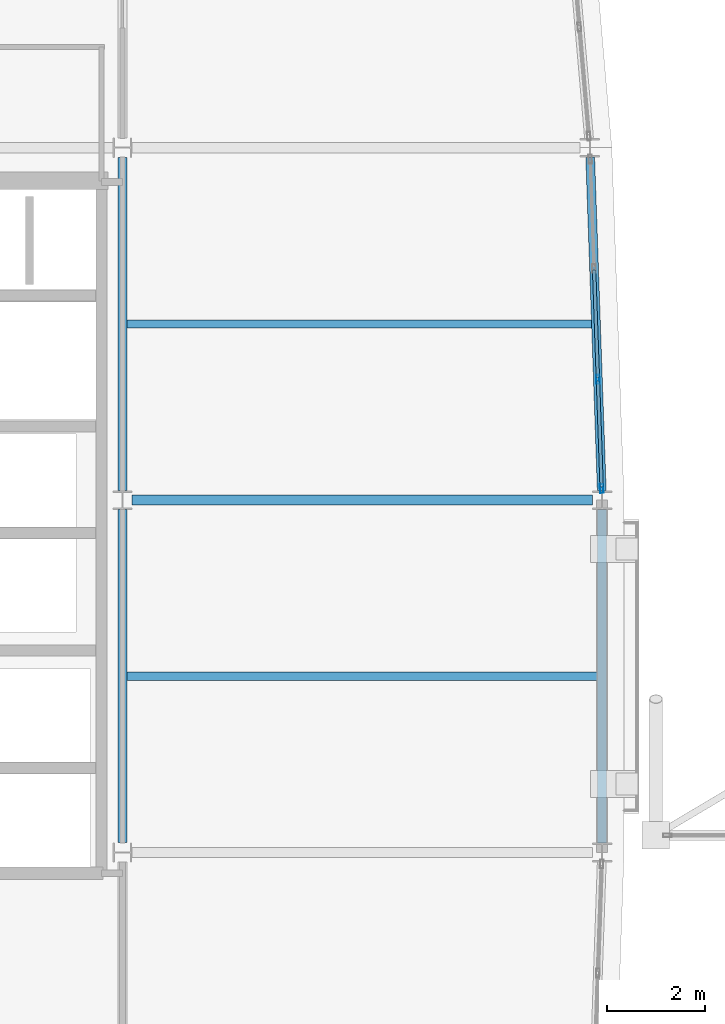
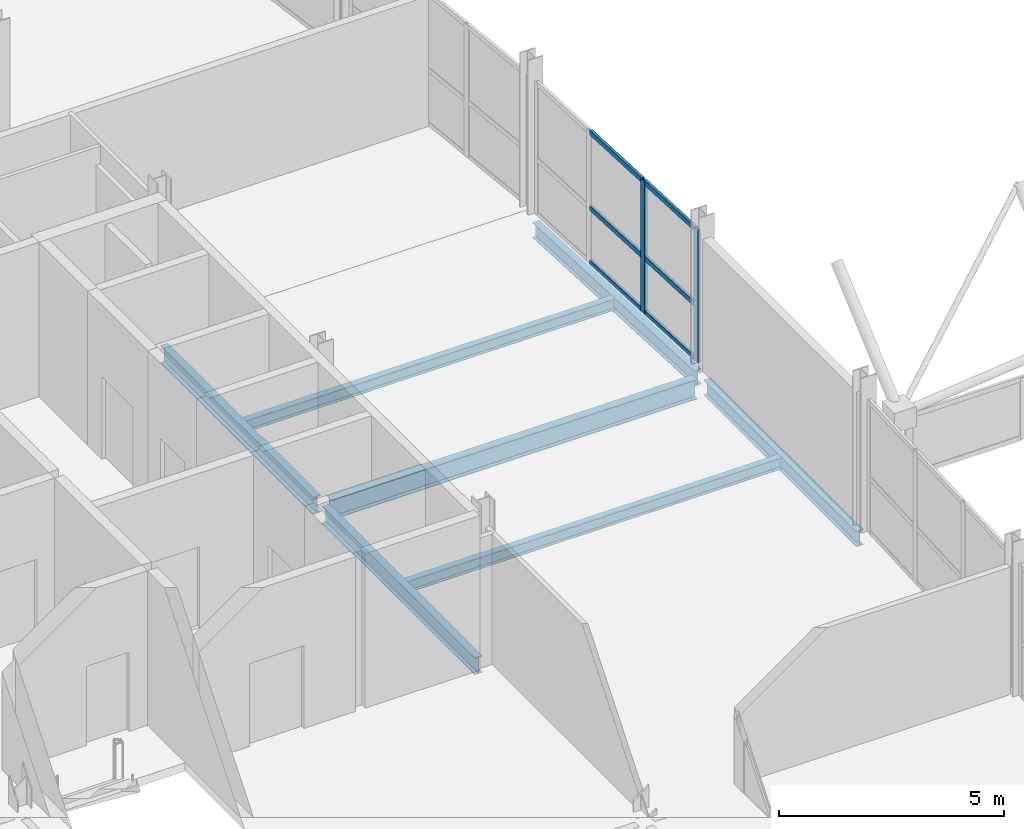
# One storey, part 26 of 60: 8 members, 7 beams, 1 element without a shape of its own.
"""IFC4 building model written with IfcOpenShell, lengths in metres."""

from ifc_helpers import new_model, si_unit, direction, frame, origin, origin_2d, place, context, subcontext, project, spatial, hollow_rectangle, i_section, extrude, material, layer, layer_set, material_profile, profile_set, type_object, element, aggregate, save


model = new_model("IFC4")

# Units and contexts
model_context = context("Model", 3, precision=1e-05, world=origin(), true_north=direction((0.0, 1.0)))
body_context = subcontext(model_context, "Body", "Model", "MODEL_VIEW")
ifc_project = project(units=[si_unit("LENGTHUNIT", "METRE"), si_unit("AREAUNIT", "SQUARE_METRE"), si_unit("VOLUMEUNIT", "CUBIC_METRE"), si_unit("PLANEANGLEUNIT", "RADIAN"), si_unit("MASSUNIT", "GRAM", prefix="KILO")], contexts=[model_context])

# Site, building, storey
site_placement = place(None, origin())
site = spatial("IfcSite", under=ifc_project, at=site_placement, CompositionType="ELEMENT")
building_placement = place(site_placement, origin())
building = spatial("IfcBuilding", under=site, at=building_placement, Name="Quillay Park Conservatory", CompositionType="ELEMENT")
storey_placement = place(building_placement, frame((0.0, 0.0, 9.89990234375)))
storey = spatial("IfcBuildingStorey", under=building, at=storey_placement, Name="L02", CompositionType="ELEMENT", Elevation=9.89990234375)

# Beams
ifc_material_1 = material(Name="Steel ASTM A992 Grade 50", Category="steel")
ifc_material_profile_1 = material_profile(ifc_material_1, i_section(OverallWidth=0.166015625, OverallDepth=0.31298828125, WebThickness=0.006591796875, FlangeThickness=0.01123046875, FilletRadius=0.010009765625, at=origin_2d()), Name="W310x45")
ifc_profile_set_1 = profile_set([ifc_material_profile_1], Name="Steel ASTM A992 Grade 50")
beam_type_1 = type_object("IfcBeamType", Name="COMPOSITE FLOOR JOIST W310 X45", PredefinedType="JOIST", material=ifc_profile_set_1)
beam_1_placement = place(storey_placement, frame((19.845947265625, 88.800048828125, -0.386474609375), z_axis=(1.0, 0.0, 0.0), x_axis=(0.0, 1.0, 0.0)))
element("IfcBeam", 1, at=beam_1_placement, inside=storey, type_object=beam_type_1, Name="L02 beam BM-J-0223", PredefinedType="JOIST", context=body_context, shape_type="SweptSolid", body=[
    extrude(i_section(OverallWidth=0.166015625, OverallDepth=0.31298828125, WebThickness=0.006591796875, FlangeThickness=0.01123046875, FilletRadius=0.010009765625, at=origin_2d()), origin(), (0.0, 0.0, 1.0), 9.614013671875),
])
beam_2_placement = place(storey_placement, frame((19.845947265625, 96.0, -0.386474609375), z_axis=(1.0, 0.0, 0.0), x_axis=(0.0, 1.0, 0.0)))
element("IfcBeam", 2, at=beam_2_placement, inside=storey, type_object=beam_type_1, Name="L02 beam BM-J-0229", PredefinedType="JOIST", context=body_context, shape_type="SweptSolid", body=[
    extrude(i_section(OverallWidth=0.166015625, OverallDepth=0.31298828125, WebThickness=0.006591796875, FlangeThickness=0.01123046875, FilletRadius=0.010009765625, at=origin_2d()), origin(), (0.0, 0.0, 1.0), 9.489013671875),
])

# Curtain wall, members
ifc_material_2 = material(Name="Thermally Broken Anodised Aluminium 6063-T6", Category="aluminium")
ifc_layer = layer(ifc_material_2, 0.179931640625)
ifc_layer_set = layer_set([ifc_layer], Name="UNITISED CURTAIN WALL TOWER (Thermally Broken Anodised Aluminium 6063-T6)")
curtain_wall_type = type_object("IfcCurtainWallType", Name="UNITISED CURTAIN WALL TOWER", PredefinedType="USERDEFINED", material=ifc_layer_set)
curtain_wall_placement = place(storey_placement, origin())
curtain_wall = element("IfcCurtainWall", 3, at=curtain_wall_placement, inside=storey, type_object=curtain_wall_type, Name="L02 Unitised Curtain Wall 022", ObjectType="UNITISED CURTAIN WALL", PredefinedType="USERDEFINED")
ifc_material_3 = material(Name="Thermally Broken Anodised Aluminium 6063-T6", Category="aluminium")
ifc_material_profile_2 = material_profile(ifc_material_3, hollow_rectangle(XDim=0.070068359375, YDim=0.179931640625, WallThickness=0.00390625, at=origin_2d()), Name="AL70x180x4")
ifc_profile_set_2 = profile_set([ifc_material_profile_2], Name="Thermally Broken Anodised Aluminium 6063-T6")
member_type_1 = type_object("IfcMemberType", Name="CURTAIN WALL MULLION 70 X180", PredefinedType="MULLION", material=ifc_profile_set_2)
member_1_placement = place(storey_placement, frame((29.46435546875, 94.86669921875, 0.0), z_axis=(0.0, 0.0, 1.0), x_axis=(0.999397310446, 0.034713338537, 0.0)))
member_1 = element("IfcMember", 4, at=member_1_placement, type_object=member_type_1, Name="CW-T1 mullion 3", PredefinedType="MULLION", context=body_context, shape_type="SweptSolid", body=[
    extrude(hollow_rectangle(XDim=0.070068359375, YDim=0.179931640625, WallThickness=0.00390625, at=origin_2d()), origin(), (0.0, 0.0, 1.0), 3.59912109375),
])
member_2_placement = place(storey_placement, frame((29.5419921875, 92.634765625, 0.0), z_axis=(0.0, 0.0, 1.0), x_axis=(0.999397310446, 0.034713338537, 0.0)))
member_2 = element("IfcMember", 5, at=member_2_placement, type_object=member_type_1, Name="CW-T1 mullion 4", PredefinedType="MULLION", context=body_context, shape_type="SweptSolid", body=[
    extrude(hollow_rectangle(XDim=0.070068359375, YDim=0.179931640625, WallThickness=0.00390625, at=origin_2d()), origin(), (0.0, 0.0, 1.0), 3.59912109375),
])
ifc_material_4 = material(Name="Thermally Broken Anodised Aluminium 6063-T6", Category="aluminium")
ifc_material_profile_3 = material_profile(ifc_material_4, hollow_rectangle(XDim=0.070068359375, YDim=0.1298828125, WallThickness=0.003173828125, at=origin_2d()), Name="AL70x130x3.2")
ifc_profile_set_3 = profile_set([ifc_material_profile_3], Name="Thermally Broken Anodised Aluminium 6063-T6")
member_type_2 = type_object("IfcMemberType", Name="CURTAIN WALL TRANSOM 70 X130", PredefinedType="USERDEFINED", material=ifc_profile_set_3)
member_3_placement = place(storey_placement, frame((29.386962890625, 97.098388671875, 0.03515625), z_axis=(0.034653546152, -0.999399385501, 0.0), x_axis=(0.999399385501, 0.034653546152, 0.0)))
member_3 = element("IfcMember", 6, at=member_3_placement, type_object=member_type_2, Name="CW-T1 transom 2.1", ObjectType="TRANSOM", PredefinedType="USERDEFINED", context=body_context, shape_type="SweptSolid", body=[
    extrude(hollow_rectangle(XDim=0.070068359375, YDim=0.1298828125, WallThickness=0.003173828125, at=origin_2d()), origin(), (0.0, 0.0, 1.0), 2.197998046875),
])
member_4_placement = place(storey_placement, frame((29.386962890625, 97.098388671875, 1.51171875), z_axis=(0.034653546152, -0.999399385501, 0.0), x_axis=(0.999399385501, 0.034653546152, 0.0)))
member_4 = element("IfcMember", 7, at=member_4_placement, type_object=member_type_2, Name="CW-T1 transom 2.2", ObjectType="TRANSOM", PredefinedType="USERDEFINED", context=body_context, shape_type="SweptSolid", body=[
    extrude(hollow_rectangle(XDim=0.070068359375, YDim=0.1298828125, WallThickness=0.003173828125, at=origin_2d()), origin(), (0.0, 0.0, 1.0), 2.197998046875),
])
member_5_placement = place(storey_placement, frame((29.386962890625, 97.098388671875, 3.564208984375), z_axis=(0.034653546152, -0.999399385501, 0.0), x_axis=(0.999399385501, 0.034653546152, 0.0)))
member_5 = element("IfcMember", 8, at=member_5_placement, type_object=member_type_2, Name="CW-T1 transom 2.3", ObjectType="TRANSOM", PredefinedType="USERDEFINED", context=body_context, shape_type="SweptSolid", body=[
    extrude(hollow_rectangle(XDim=0.070068359375, YDim=0.1298828125, WallThickness=0.003173828125, at=origin_2d()), origin(), (0.0, 0.0, 1.0), 2.197998046875),
])
member_6_placement = place(storey_placement, frame((29.465576171875, 94.83154296875, 0.03515625), z_axis=(0.034765508592, -0.999395496994, 0.0), x_axis=(0.999395496994, 0.034765508592, 0.0)))
member_6 = element("IfcMember", 9, at=member_6_placement, type_object=member_type_2, Name="CW-T1 transom 3.1", ObjectType="TRANSOM", PredefinedType="USERDEFINED", context=body_context, shape_type="SweptSolid", body=[
    extrude(hollow_rectangle(XDim=0.070068359375, YDim=0.1298828125, WallThickness=0.003173828125, at=origin_2d()), origin(), (0.0, 0.0, 1.0), 2.162841796875),
])
member_7_placement = place(storey_placement, frame((29.465576171875, 94.83154296875, 1.51171875), z_axis=(0.034765508592, -0.999395496994, 0.0), x_axis=(0.999395496994, 0.034765508592, 0.0)))
member_7 = element("IfcMember", 10, at=member_7_placement, type_object=member_type_2, Name="CW-T1 transom 3.2", ObjectType="TRANSOM", PredefinedType="USERDEFINED", context=body_context, shape_type="SweptSolid", body=[
    extrude(hollow_rectangle(XDim=0.070068359375, YDim=0.1298828125, WallThickness=0.003173828125, at=origin_2d()), origin(), (0.0, 0.0, 1.0), 2.162841796875),
])
member_8_placement = place(storey_placement, frame((29.465576171875, 94.83154296875, 3.564208984375), z_axis=(0.034765508592, -0.999395496994, 0.0), x_axis=(0.999395496994, 0.034765508592, 0.0)))
member_8 = element("IfcMember", 11, at=member_8_placement, type_object=member_type_2, Name="CW-T1 transom 3.3", ObjectType="TRANSOM", PredefinedType="USERDEFINED", context=body_context, shape_type="SweptSolid", body=[
    extrude(hollow_rectangle(XDim=0.070068359375, YDim=0.1298828125, WallThickness=0.003173828125, at=origin_2d()), origin(), (0.0, 0.0, 1.0), 2.162841796875),
])
aggregate(curtain_wall, [member_1, member_2, member_3, member_4, member_5, member_6, member_7, member_8])

# Beams
ifc_material_5 = material(Name="Steel ASTM A992 Grade 50", Category="steel")
ifc_material_profile_4 = material_profile(ifc_material_5, i_section(OverallWidth=0.179931640625, OverallDepth=0.4130859375, WebThickness=0.009765625, FlangeThickness=0.01611328125, FilletRadius=0.011962890625, at=origin_2d()), Name="W410x74")
ifc_profile_set_4 = profile_set([ifc_material_profile_4], Name="Steel ASTM A992 Grade 50")
beam_type_2 = type_object("IfcBeamType", Name="PERIMETER SPANDREL BEAM W410 X74", PredefinedType="SPANDREL", material=ifc_profile_set_4)
beam_3_placement = place(storey_placement, frame((29.550048828125, 85.396484375, -0.4365234375), z_axis=(0.0, 1.0, 0.0), x_axis=(-1.0, 0.0, 0.0)))
element("IfcBeam", 12, at=beam_3_placement, inside=storey, type_object=beam_type_2, Name="L02 beam BM-SPE-0219", PredefinedType="SPANDREL", context=body_context, shape_type="SweptSolid", body=[
    extrude(i_section(OverallWidth=0.179931640625, OverallDepth=0.4130859375, WebThickness=0.009765625, FlangeThickness=0.01611328125, FilletRadius=0.011962890625, at=origin_2d()), origin(), (0.0, 0.0, 1.0), 6.80712890625),
])
beam_4_placement = place(storey_placement, frame((29.543212890625, 92.596435546875, -0.4365234375), z_axis=(-0.034696834921, 0.999397883551, 0.0), x_axis=(-0.999397883551, -0.034696834921, 0.0)))
element("IfcBeam", 13, at=beam_4_placement, inside=storey, type_object=beam_type_2, Name="L02 beam BM-SPE-0225", PredefinedType="SPANDREL", context=body_context, shape_type="SweptSolid", body=[
    extrude(i_section(OverallWidth=0.179931640625, OverallDepth=0.4130859375, WebThickness=0.009765625, FlangeThickness=0.01611328125, FilletRadius=0.011962890625, at=origin_2d()), origin(), (0.0, 0.0, 1.0), 6.811279296875),
])
ifc_material_6 = material(Name="Steel ASTM A992 Grade 50", Category="steel")
ifc_material_profile_5 = material_profile(ifc_material_6, i_section(OverallWidth=0.19189453125, OverallDepth=0.462890625, WebThickness=0.010498046875, FlangeThickness=0.017578125, FilletRadius=0.012939453125, at=origin_2d()), Name="W460x89")
ifc_profile_set_5 = profile_set([ifc_material_profile_5], Name="Steel ASTM A992 Grade 50")
beam_type_3 = type_object("IfcBeamType", Name="PRIMARY FLOOR GIRDER W460 X89", PredefinedType="BEAM", material=ifc_profile_set_5)
beam_5_placement = place(storey_placement, frame((19.75, 85.3994140625, -0.46142578125), z_axis=(0.0, 1.0, 0.0), x_axis=(-1.0, 0.0, 0.0)))
element("IfcBeam", 14, at=beam_5_placement, inside=storey, type_object=beam_type_3, Name="L02 beam BM-GNS-0221", PredefinedType="BEAM", context=body_context, shape_type="SweptSolid", body=[
    extrude(i_section(OverallWidth=0.19189453125, OverallDepth=0.462890625, WebThickness=0.010498046875, FlangeThickness=0.017578125, FilletRadius=0.012939453125, at=origin_2d()), origin(), (0.0, 0.0, 1.0), 6.80419921875),
])
beam_6_placement = place(storey_placement, frame((19.75, 92.596435546875, -0.46142578125), z_axis=(0.0, 1.0, 0.0), x_axis=(-1.0, 0.0, 0.0)))
element("IfcBeam", 15, at=beam_6_placement, inside=storey, type_object=beam_type_3, Name="L02 beam BM-GNS-0227", PredefinedType="BEAM", context=body_context, shape_type="SweptSolid", body=[
    extrude(i_section(OverallWidth=0.19189453125, OverallDepth=0.462890625, WebThickness=0.010498046875, FlangeThickness=0.017578125, FilletRadius=0.012939453125, at=origin_2d()), origin(), (0.0, 0.0, 1.0), 6.803955078125),
])
ifc_material_7 = material(Name="Steel ASTM A992 Grade 50", Category="steel")
ifc_material_profile_6 = material_profile(ifc_material_7, i_section(OverallWidth=0.2109375, OverallDepth=0.5390625, WebThickness=0.01171875, FlangeThickness=0.018798828125, FilletRadius=0.013916015625, at=origin_2d()), Name="W530x109")
ifc_profile_set_6 = profile_set([ifc_material_profile_6], Name="Steel ASTM A992 Grade 50")
beam_type_4 = type_object("IfcBeamType", Name="PRIMARY FLOOR GIRDER W530 X109", PredefinedType="BEAM", material=ifc_profile_set_6)
beam_7_placement = place(storey_placement, frame((19.949462890625, 92.39990234375, -0.49951171875), z_axis=(1.0, 0.0, 0.0), x_axis=(0.0, 1.0, 0.0)))
element("IfcBeam", 16, at=beam_7_placement, inside=storey, type_object=beam_type_4, Name="L02 beam BM-G-0188", PredefinedType="BEAM", context=body_context, shape_type="SweptSolid", body=[
    extrude(i_section(OverallWidth=0.2109375, OverallDepth=0.5390625, WebThickness=0.01171875, FlangeThickness=0.018798828125, FilletRadius=0.013916015625, at=origin_2d()), origin(), (0.0, 0.0, 1.0), 9.401123046875),
])

save(model, "model.ifc")
